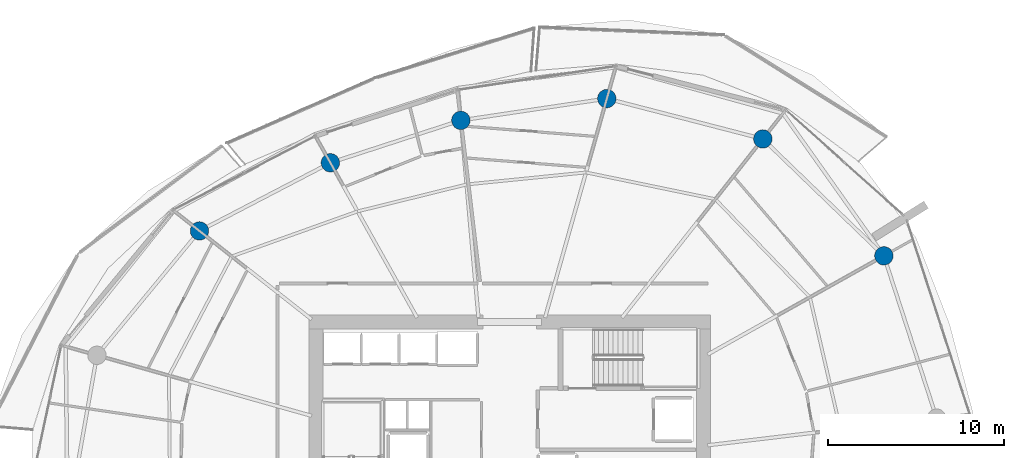
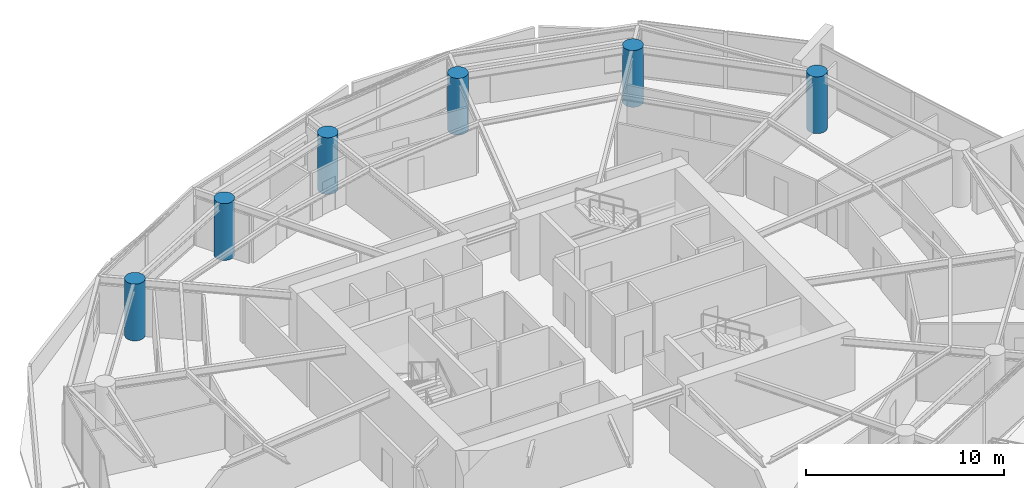
# One storey, part 4 of 20: 6 columns.
"""IFC4 building model written with IfcOpenShell, lengths in metres."""

from ifc_helpers import new_model, si_unit, direction, frame, origin, origin_2d, place, context, subcontext, project, spatial, circle, extrude, material, material_profile, profile_set, type_object, element, save


model = new_model("IFC4")

# Units and contexts
model_context = context("Model", 3, precision=1e-05, world=origin(), true_north=direction((0.0, 1.0)))
body_context = subcontext(model_context, "Body", "Model", "MODEL_VIEW")
ifc_project = project(units=[si_unit("LENGTHUNIT", "METRE"), si_unit("AREAUNIT", "SQUARE_METRE"), si_unit("VOLUMEUNIT", "CUBIC_METRE"), si_unit("PLANEANGLEUNIT", "RADIAN"), si_unit("MASSUNIT", "GRAM", prefix="KILO")], contexts=[model_context])

# Site, building, storey
site_placement = place(None, origin())
site = spatial("IfcSite", under=ifc_project, at=site_placement, CompositionType="ELEMENT")
building_placement = place(site_placement, origin())
building = spatial("IfcBuilding", under=site, at=building_placement, Name="Kazma Halo Residences", CompositionType="ELEMENT")
storey_placement = place(building_placement, frame((0.0, 0.0, 161.550048828125)))
storey = spatial("IfcBuildingStorey", under=building, at=storey_placement, Name="L40", CompositionType="ELEMENT", Elevation=161.550048828125)

# Columns
ifc_material = material(Name="Concrete C80/95", Category="concrete")
ifc_material_profile = material_profile(ifc_material, circle(Radius=0.52490234375, at=origin_2d()), Name="CIRC1050")
ifc_profile_set = profile_set([ifc_material_profile], Name="Concrete C80/95")
column_type = type_object("IfcColumnType", Name="COL-PERIM-1050", PredefinedType="COLUMN", material=ifc_profile_set)
for number, where, z_axis, x_axis, name in (
    (1, (69.730224609375, 54.16943359375, 0.0), (0.0, 0.0, 1.0), (1.0, 0.0, 0.0), "L40 perimeter ring column P01"),
    (2, (62.839599609375, 60.82373046875, 0.0), (0.0, 0.0, 1.0), (1.0, 0.0, 0.0), "L40 perimeter ring column P02"),
    (3, (53.95703125, 63.121826171875, 0.0), (0.0, 0.0, 1.0), (1.0, 0.0, 0.0), "L40 perimeter ring column P03"),
    (4, (45.64697265625, 61.881103515625, 0.0), (0.0, 0.0, 1.0), (1.0, 0.0, 0.0), "L40 perimeter ring column P04"),
    (5, (38.218017578125, 59.46728515625, 0.0), (0.0, 0.0, 1.0), (1.0, 0.0, 0.0), "L40 perimeter ring column P05"),
    (6, (30.765625, 55.58642578125, 0.0), (0.0, 0.0, 1.0), (1.0, 0.0, 0.0), "L40 perimeter ring column P06"),
):
    element("IfcColumn", number, at=place(storey_placement, frame(where, z_axis=z_axis, x_axis=x_axis)), inside=storey, type_object=column_type, Name=name, PredefinedType="COLUMN", context=body_context, shape_type="SweptSolid", body=[
        extrude(circle(Radius=0.52490234375, at=origin_2d()), origin(), (0.0, 0.0, 1.0), 3.5),
    ])

save(model, "model.ifc")
